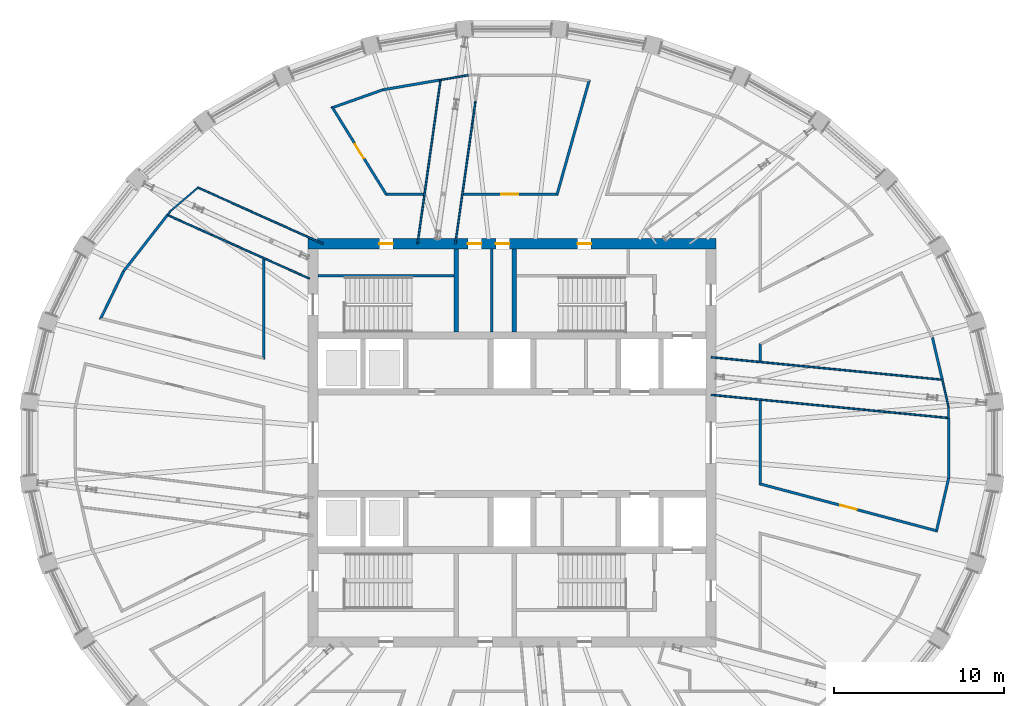
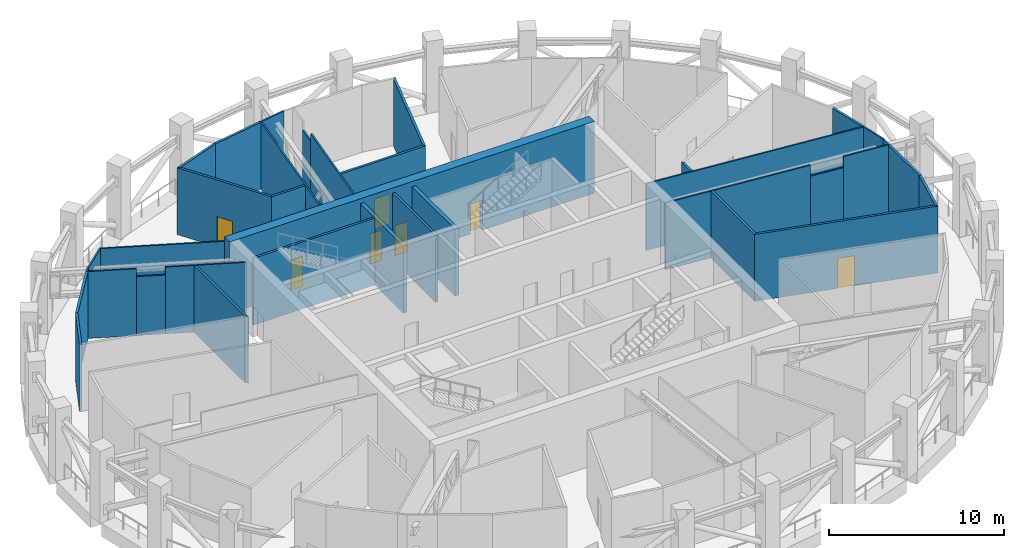
# One storey, part 10 of 20: 36 walls, 7 doors, 7 openings.
"""IFC4 building model written with IfcOpenShell, lengths in metres."""

from ifc_helpers import new_model, si_unit, direction, frame, frame_2d, origin, place, context, subcontext, project, spatial, polyline, rectangle, outline, extrude, material, layer, layer_set, type_object, element, fill, save


model = new_model("IFC4")

# Units and contexts
model_context = context("Model", 3, precision=1e-05, world=origin(), true_north=direction((0.0, 1.0)))
body_context = subcontext(model_context, "Body", "Model", "MODEL_VIEW")
ifc_project = project(units=[si_unit("LENGTHUNIT", "METRE"), si_unit("AREAUNIT", "SQUARE_METRE"), si_unit("VOLUMEUNIT", "CUBIC_METRE"), si_unit("PLANEANGLEUNIT", "RADIAN"), si_unit("MASSUNIT", "GRAM", prefix="KILO")], contexts=[model_context])

# Site, building, storey
site_placement = place(None, origin())
site = spatial("IfcSite", under=ifc_project, at=site_placement, CompositionType="ELEMENT")
building_placement = place(site_placement, origin())
building = spatial("IfcBuilding", under=site, at=building_placement, Name="Halqa Exchange Tower", CompositionType="ELEMENT")
storey_placement = place(building_placement, frame((0.0, 0.0, 328.300048828125)))
storey = spatial("IfcBuildingStorey", under=building, at=storey_placement, Name="L77", CompositionType="ELEMENT", Elevation=328.300048828125)

# Walls
ifc_material_1 = material(Name="Fire-rated gypsum board")
ifc_layer_1 = layer(ifc_material_1, 0.14990234375)
ifc_layer_set_1 = layer_set([ifc_layer_1], Name="Fire-rated gypsum board")
wall_type_1 = type_object("IfcWallType", Name="Fire partition EI 60 150", PredefinedType="PARTITIONING", material=ifc_layer_set_1)
wall_1_placement = place(storey_placement, frame((-22.826416015625, 10.087158203125, 0.0), z_axis=(0.0, 0.0, 1.0), x_axis=(-0.435498679968, -0.900189368825, 0.0)))
element("IfcWall", 1, at=wall_1_placement, inside=storey, type_object=wall_type_1, Name="L77-PWL-011", PredefinedType="PARTITIONING", context=body_context, shape_type="SweptSolid", body=[
    extrude(outline(polyline([(0.0, -0.074951171875), (1.5888671875, -0.074951171875), (3.177734375, -0.074951171875), (2.9921875, 0.074951171875), (1.504150390625, 0.074951171875), (0.015869140625, 0.074951171875), (0.0, -0.074951171875)])), origin(), (0.0, 0.0, 1.0), 4.64990234375),
])
wall_2_placement = place(storey_placement, frame((-20.25, 13.389892578125, 0.0), z_axis=(0.0, 0.0, 1.0), x_axis=(-0.614788449528, -0.788692057984, 0.0)))
element("IfcWall", 2, at=wall_2_placement, inside=storey, type_object=wall_type_1, Name="L77-PWL-013", PredefinedType="PARTITIONING", context=body_context, shape_type="SweptSolid", body=[
    extrude(outline(polyline([(4.20458984375, -0.074951171875), (4.20458984375, -0.07470703125), (4.188720703125, 0.074951171875), (2.79248046875, 0.074951171875), (1.396240234375, 0.074951171875), (0.0, 0.074951171875), (0.0, -0.074951171875), (1.401611328125, -0.074951171875), (2.802978515625, -0.074951171875), (4.20458984375, -0.074951171875)])), origin(), (0.0, 0.0, 1.0), 4.64990234375),
])
wall_3_placement = place(storey_placement, frame((-14.60009765625, 4.884521484375, 0.0), z_axis=(0.0, 0.0, 1.0), x_axis=(0.0, 1.0, 0.0)))
element("IfcWall", 3, at=wall_3_placement, inside=storey, type_object=wall_type_1, Name="L77-PWL-029", PredefinedType="PARTITIONING", context=body_context, shape_type="SweptSolid", body=[
    extrude(outline(polyline([(0.000244140625, -0.074951171875), (1.96240234375, -0.074951171875), (3.92431640625, -0.074951171875), (5.886474609375, -0.074951171875), (5.953369140625, 0.074462890625), (5.953369140625, 0.074951171875), (4.032470703125, 0.074951171875), (2.11181640625, 0.074951171875), (0.19091796875, 0.074951171875), (0.19091796875, 0.074951171875), (0.19091796875, 0.074951171875), (0.095458984375, 0.0), (0.000244140625, -0.074951171875)])), origin(), (0.0, 0.0, 1.0), 4.64990234375),
])

# Wall, opening, door
wall_4_placement = place(storey_placement, frame((-10.59912109375, 19.779052734375, 0.0), z_axis=(0.0, 0.0, 1.0), x_axis=(0.526721747685, -0.850037764171, 0.0)))
wall_4 = element("IfcWall", 4, at=wall_4_placement, inside=storey, type_object=wall_type_1, Name="L77-PWL-031", PredefinedType="PARTITIONING", context=body_context, shape_type="SweptSolid", body=[
    extrude(outline(polyline([(0.0, -0.074951171875), (1.53369140625, -0.074951171875), (3.067138671875, -0.074951171875), (4.600830078125, -0.074951171875), (6.134521484375, -0.074951171875), (6.051025390625, 0.074951171875), (4.095947265625, 0.074951171875), (2.140869140625, 0.074951171875), (0.185791015625, 0.074951171875), (0.0, -0.074951171875), (0.0, -0.074951171875)])), origin(), (0.0, 0.0, 1.0), 4.64990234375),
])
opening_1_placement = place(wall_4_placement, frame((2.593017578125, 0.0, 0.0)))
opening_1 = element("IfcOpeningElement", 5, at=opening_1_placement, cuts=wall_4, Name="Opening L77-13", PredefinedType="OPENING", context=body_context, shape_type="SweptSolid", body=[
    extrude(rectangle(XDim=1.0, YDim=2.10009765625, at=frame_2d((0.5, 1.050048828125))), frame((0.0, 0.0869140625, 0.0), z_axis=(0.0, -1.0, 0.0), x_axis=(1.0, 0.0, 0.0)), (0.0, 0.0, 1.0), 0.173828125),
])
ifc_material_2 = material(Name="Steel fire door leaf", Category="steel")
door_type_1 = type_object("IfcDoorType", Name="Fire door FD30S 1000 x 2100", OperationType="SINGLE_SWING_LEFT", PredefinedType="DOOR", material=ifc_material_2)
door_1_placement = place(opening_1_placement, origin())
door_1 = element("IfcDoor", 6, at=door_1_placement, inside=storey, type_object=door_type_1, Name="L77-IDR-013", OperationType="SINGLE_SWING_LEFT", OverallHeight=2.10009765625, OverallWidth=1.0, PredefinedType="DOOR", context=body_context, shape_type="SweptSolid", body=[
    extrude(rectangle(XDim=1.0, YDim=2.10009765625, at=frame_2d((0.5, 1.050048828125))), frame((0.0, 0.02490234375, 0.0), z_axis=(0.0, -1.0, 0.0), x_axis=(1.0, 0.0, 0.0)), (0.0, 0.0, 1.0), 0.050048828125),
])
fill(opening_1, door_1)

# Walls
wall_5_placement = place(storey_placement, frame((-7.583984375, 20.752197265625, 0.0), z_axis=(0.0, 0.0, 1.0), x_axis=(-0.942459148143, -0.334321333571, 0.0)))
element("IfcWall", 7, at=wall_5_placement, inside=storey, type_object=wall_type_1, Name="L77-PWL-034", PredefinedType="PARTITIONING", context=body_context, shape_type="SweptSolid", body=[
    extrude(outline(polyline([(0.0, -0.074951171875), (1.6201171875, -0.074951171875), (3.240234375, -0.074951171875), (3.05419921875, 0.074951171875), (1.533447265625, 0.074951171875), (0.012939453125, 0.074951171875), (0.0, -0.074462890625), (0.0, -0.074951171875)])), origin(), (0.0, 0.0, 1.0), 4.64990234375),
])
wall_6_placement = place(storey_placement, frame((-7.596435546875, 20.748779296875, 0.0), z_axis=(0.0, 0.0, 1.0), x_axis=(0.9856701175, 0.168684378254, 0.0)))
element("IfcWall", 8, at=wall_6_placement, inside=storey, type_object=wall_type_1, Name="L77-PWL-035", PredefinedType="PARTITIONING", context=body_context, shape_type="SweptSolid", body=[
    extrude(outline(polyline([(3.370849609375, 0.074951171875), (1.685546875, 0.074951171875), (0.000244140625, 0.074951171875), (0.012939453125, -0.074951171875), (1.69189453125, -0.074951171875), (3.370849609375, -0.074951171875), (3.370849609375, 0.074951171875)])), origin(), (0.0, 0.0, 1.0), 4.64990234375),
])
wall_7_placement = place(storey_placement, frame((-7.431884765625, 14.60009765625, 0.0), z_axis=(0.0, 0.0, 1.0), x_axis=(1.0, 0.0, 0.0)))
element("IfcWall", 9, at=wall_7_placement, inside=storey, type_object=wall_type_1, Name="L77-PWL-036", PredefinedType="PARTITIONING", context=body_context, shape_type="SweptSolid", body=[
    extrude(outline(polyline([(0.000244140625, -0.074951171875), (2.2275390625, -0.074951171875), (2.248291015625, 0.07373046875), (2.248291015625, 0.074951171875), (0.083740234375, 0.074951171875), (0.083740234375, 0.074951171875), (0.083740234375, 0.074951171875), (0.0419921875, 0.0), (0.000244140625, -0.074951171875)])), origin(), (0.0, 0.0, 1.0), 4.64990234375),
])

# Wall, opening, door
wall_8_placement = place(storey_placement, frame((-2.8798828125, 14.60009765625, 0.0), z_axis=(0.0, 0.0, 1.0), x_axis=(1.0, 0.0, 0.0)))
wall_8 = element("IfcWall", 10, at=wall_8_placement, inside=storey, type_object=wall_type_1, Name="L77-PWL-042", PredefinedType="PARTITIONING", context=body_context, shape_type="SweptSolid", body=[
    extrude(outline(polyline([(0.0, -0.074951171875), (1.8623046875, -0.074951171875), (3.724365234375, -0.074951171875), (5.586669921875, -0.074951171875), (5.52978515625, 0.0), (5.47314453125, 0.074951171875), (5.47314453125, 0.074951171875), (5.47314453125, 0.074951171875), (3.65576171875, 0.074951171875), (1.83837890625, 0.074951171875), (0.02099609375, 0.074951171875), (0.0, -0.073486328125), (0.0, -0.074951171875)])), origin(), (0.0, 0.0, 1.0), 4.64990234375),
])
opening_2_placement = place(wall_8_placement, frame((2.25, 0.0, 0.0)))
opening_2 = element("IfcOpeningElement", 11, at=opening_2_placement, cuts=wall_8, Name="Opening L77-12", PredefinedType="OPENING", context=body_context, shape_type="SweptSolid", body=[
    extrude(rectangle(XDim=1.0, YDim=2.10009765625, at=frame_2d((0.5, 1.050048828125))), frame((0.0, 0.0869140625, 0.0), z_axis=(0.0, -1.0, 0.0), x_axis=(1.0, 0.0, 0.0)), (0.0, 0.0, 1.0), 0.173828125),
])
door_2_placement = place(opening_2_placement, origin())
door_2 = element("IfcDoor", 12, at=door_2_placement, inside=storey, type_object=door_type_1, Name="L77-IDR-012", OperationType="SINGLE_SWING_LEFT", OverallHeight=2.10009765625, OverallWidth=1.0, PredefinedType="DOOR", context=body_context, shape_type="SweptSolid", body=[
    extrude(rectangle(XDim=1.0, YDim=2.10009765625, at=frame_2d((0.5, 1.050048828125))), frame((0.0, 0.02490234375, 0.0), z_axis=(0.0, -1.0, 0.0), x_axis=(1.0, 0.0, 0.0)), (0.0, 0.0, 1.0), 0.050048828125),
])
fill(opening_2, door_2)

# Wall
wall_9_placement = place(storey_placement, frame((2.634521484375, 14.54541015625, 0.0), z_axis=(0.0, 0.0, 1.0), x_axis=(0.271290420786, 0.962497536407, 0.0)))
element("IfcWall", 13, at=wall_9_placement, inside=storey, type_object=wall_type_1, Name="L77-PWL-052", PredefinedType="PARTITIONING", context=body_context, shape_type="SweptSolid", body=[
    extrude(outline(polyline([(0.0, -0.074951171875), (1.767822265625, -0.074951171875), (3.535888671875, -0.074951171875), (5.3037109375, -0.074951171875), (7.071533203125, -0.074951171875), (6.905029296875, 0.074951171875), (5.20703125, 0.074951171875), (3.50927734375, 0.074951171875), (1.8115234375, 0.074951171875), (0.113525390625, 0.074951171875), (0.0, -0.074951171875)])), origin(), (0.0, 0.0, 1.0), 4.64990234375),
])

# Wall, opening, door
wall_10_placement = place(storey_placement, frame((14.544189453125, -2.4052734375, 0.0), z_axis=(0.0, 0.0, 1.0), x_axis=(0.966468454351, -0.256785370969, 0.0)))
wall_10 = element("IfcWall", 14, at=wall_10_placement, inside=storey, type_object=wall_type_1, Name="L77-PWL-076", PredefinedType="PARTITIONING", context=body_context, shape_type="SweptSolid", body=[
    extrude(outline(polyline([(10.84423828125, -0.074951171875), (10.84423828125, -0.074951171875), (10.689453125, 0.074951171875), (8.927001953125, 0.074951171875), (7.164794921875, 0.074951171875), (5.40234375, 0.074951171875), (3.639892578125, 0.074951171875), (1.877685546875, 0.074951171875), (0.115234375, 0.074951171875), (0.0, -0.074951171875), (1.807373046875, -0.074951171875), (3.61474609375, -0.074951171875), (5.422119140625, -0.074951171875), (7.2294921875, -0.074951171875), (9.036865234375, -0.074951171875), (10.84423828125, -0.074951171875)])), origin(), (0.0, 0.0, 1.0), 4.64990234375),
])
opening_3_placement = place(wall_10_placement, frame((4.912109375, 0.0, 0.0)))
opening_3 = element("IfcOpeningElement", 15, at=opening_3_placement, cuts=wall_10, Name="Opening L77-08", PredefinedType="OPENING", context=body_context, shape_type="SweptSolid", body=[
    extrude(rectangle(XDim=1.0, YDim=2.10009765625, at=frame_2d((0.5, 1.050048828125))), frame((0.0, 0.0869140625, 0.0), z_axis=(0.0, -1.0, 0.0), x_axis=(1.0, 0.0, 0.0)), (0.0, 0.0, 1.0), 0.173828125),
])
door_3_placement = place(opening_3_placement, origin())
door_3 = element("IfcDoor", 16, at=door_3_placement, inside=storey, type_object=door_type_1, Name="L77-IDR-008", OperationType="SINGLE_SWING_RIGHT", OverallHeight=2.10009765625, OverallWidth=1.0, PredefinedType="DOOR", context=body_context, shape_type="SweptSolid", body=[
    extrude(rectangle(XDim=1.0, YDim=2.10009765625, at=frame_2d((0.5, 1.050048828125))), frame((0.0, 0.02490234375, 0.0), z_axis=(0.0, -1.0, 0.0), x_axis=(1.0, 0.0, 0.0)), (0.0, 0.0, 1.0), 0.050048828125),
])
fill(opening_3, door_3)

# Walls
wall_11_placement = place(storey_placement, frame((14.60009765625, 2.494384765625, 0.0), z_axis=(0.0, 0.0, 1.0), x_axis=(0.0, -1.0, 0.0)))
element("IfcWall", 17, at=wall_11_placement, inside=storey, type_object=wall_type_1, Name="L77-PWL-077", PredefinedType="PARTITIONING", context=body_context, shape_type="SweptSolid", body=[
    extrude(outline(polyline([(0.0, -0.074951171875), (1.6572265625, -0.074951171875), (3.314697265625, -0.074951171875), (4.971923828125, -0.074951171875), (4.914306640625, 0.0), (4.856689453125, 0.074951171875), (4.856689453125, 0.074951171875), (4.856689453125, 0.074951171875), (3.24267578125, 0.074951171875), (1.62841796875, 0.074951171875), (0.014404296875, 0.074951171875), (0.0, -0.0732421875), (0.0, -0.074951171875)])), origin(), (0.0, 0.0, 1.0), 4.64990234375),
])
wall_12_placement = place(storey_placement, frame((14.60009765625, 5.84619140625, 0.0), z_axis=(0.0, 0.0, 1.0), x_axis=(0.0, -1.0, 0.0)))
element("IfcWall", 18, at=wall_12_placement, inside=storey, type_object=wall_type_1, Name="L77-PWL-078", PredefinedType="PARTITIONING", context=body_context, shape_type="SweptSolid", body=[
    extrude(outline(polyline([(0.000244140625, -0.074951171875), (1.040283203125, -0.074951171875), (1.0546875, 0.072265625), (1.0546875, 0.074951171875), (0.09228515625, 0.074951171875), (0.09228515625, 0.074951171875), (0.09228515625, 0.074951171875), (0.046142578125, 0.0), (0.000244140625, -0.074951171875)])), origin(), (0.0, 0.0, 1.0), 4.64990234375),
])
wall_13_placement = place(storey_placement, frame((24.9326171875, -5.24560546875, 0.0), z_axis=(0.0, 0.0, 1.0), x_axis=(0.224606878397, 0.974449460042, 0.0)))
element("IfcWall", 19, at=wall_13_placement, inside=storey, type_object=wall_type_1, Name="L77-PWL-092", PredefinedType="PARTITIONING", context=body_context, shape_type="SweptSolid", body=[
    extrude(outline(polyline([(3.246826171875, -0.074951171875), (3.246826171875, -0.074462890625), (3.229736328125, 0.074951171875), (1.6923828125, 0.074951171875), (0.155029296875, 0.074951171875), (0.0, -0.074951171875), (1.62353515625, -0.074951171875), (3.246826171875, -0.074951171875)])), origin(), (0.0, 0.0, 1.0), 4.64990234375),
])
wall_14_placement = place(storey_placement, frame((25.2900390625, 3.7099609375, 0.0), z_axis=(0.0, 0.0, 1.0), x_axis=(-0.227782317725, 0.97371208051, 0.0)))
element("IfcWall", 20, at=wall_14_placement, inside=storey, type_object=wall_type_1, Name="L77-PWL-093", PredefinedType="PARTITIONING", context=body_context, shape_type="SweptSolid", body=[
    extrude(outline(polyline([(2.55517578125, -0.074951171875), (2.55517578125, -0.074462890625), (2.53857421875, 0.074951171875), (1.269287109375, 0.074951171875), (0.0, 0.074951171875), (0.0, -0.074951171875), (1.277587890625, -0.074951171875), (2.55517578125, -0.074951171875)])), origin(), (0.0, 0.0, 1.0), 4.64990234375),
])
wall_15_placement = place(storey_placement, frame((25.659912109375, -2.098388671875, 0.0), z_axis=(0.0, 0.0, 1.0), x_axis=(0.0, 1.0, 0.0)))
element("IfcWall", 21, at=wall_15_placement, inside=storey, type_object=wall_type_1, Name="L77-PWL-094", PredefinedType="PARTITIONING", context=body_context, shape_type="SweptSolid", body=[
    extrude(outline(polyline([(3.558349609375, 0.074951171875), (1.78759765625, 0.074951171875), (0.016845703125, 0.074951171875), (0.0, -0.07373046875), (0.0, -0.074951171875), (1.779296875, -0.074951171875), (3.558349609375, -0.074951171875), (3.558349609375, 0.074951171875)])), origin(), (0.0, 0.0, 1.0), 4.64990234375),
])
ifc_material_3 = material(Name="Gypsum board")
ifc_layer_2 = layer(ifc_material_3, 0.10009765625)
ifc_layer_set_2 = layer_set([ifc_layer_2], Name="Gypsum board")
wall_type_2 = type_object("IfcWallType", Name="Partition 100 gypsum", PredefinedType="PARTITIONING", material=ifc_layer_set_2)
wall_16_placement = place(storey_placement, frame((-20.191650390625, 13.36376953125, 0.0), z_axis=(0.0, 0.0, 1.0), x_axis=(0.912635066967, -0.408775286121, 0.0)))
element("IfcWall", 22, at=wall_16_placement, inside=storey, type_object=wall_type_2, Name="L77-PWL-014", PredefinedType="PARTITIONING", context=body_context, shape_type="SweptSolid", body=[
    extrude(outline(polyline([(0.0, 0.050048828125), (0.0, -0.015625), (0.0087890625, -0.017822265625), (0.0009765625, -0.050048828125), (1.386962890625, -0.050048828125), (2.77294921875, -0.050048828125), (2.77294921875, 0.050048828125), (1.386474609375, 0.050048828125), (0.0, 0.050048828125)])), origin(), (0.0, 0.0, 1.0), 4.64990234375),
])
wall_17_placement = place(storey_placement, frame((-20.039306640625, 13.659423828125, 0.0), z_axis=(0.0, 0.0, 1.0), x_axis=(-0.61586559452, -0.787851235632, 0.0)))
element("IfcWall", 23, at=wall_17_placement, inside=storey, type_object=wall_type_2, Name="L77-PWL-016", PredefinedType="PARTITIONING", context=body_context, shape_type="SweptSolid", body=[
    extrude(rectangle(XDim=0.342041015625, YDim=0.10009765625, at=frame_2d((0.1708984375, 0.0))), origin(), (0.0, 0.0, 1.0), 4.64990234375),
])
wall_18_placement = place(storey_placement, frame((-18.434814453125, 15.02001953125, 0.0), z_axis=(0.0, 0.0, 1.0), x_axis=(-0.759626055976, -0.650360096471, 0.0)))
element("IfcWall", 24, at=wall_18_placement, inside=storey, type_object=wall_type_2, Name="L77-PWL-017", PredefinedType="PARTITIONING", context=body_context, shape_type="SweptSolid", body=[
    extrude(outline(polyline([(0.0, -0.050048828125), (2.11181640625, -0.050048828125), (2.09375, 0.0390625), (2.14501953125, 0.049560546875), (2.14501953125, 0.050048828125), (0.0634765625, 0.050048828125), (0.03369140625, 0.0029296875), (0.0, -0.050048828125)])), origin(), (0.0, 0.0, 1.0), 4.64990234375),
])
wall_19_placement = place(storey_placement, frame((-18.48779296875, 15.012451171875, 0.0), z_axis=(0.0, 0.0, 1.0), x_axis=(0.912473613394, -0.409135558048, 0.0)))
element("IfcWall", 25, at=wall_19_placement, inside=storey, type_object=wall_type_2, Name="L77-PWL-018", PredefinedType="PARTITIONING", context=body_context, shape_type="SweptSolid", body=[
    extrude(outline(polyline([(0.0, 0.050048828125), (0.0, 0.050048828125), (0.0634765625, -0.050048828125), (1.669921875, -0.050048828125), (3.276611328125, -0.050048828125), (4.88330078125, -0.050048828125), (6.48974609375, -0.050048828125), (8.096435546875, -0.050048828125), (8.096435546875, 0.050048828125), (6.47705078125, 0.050048828125), (4.85791015625, 0.050048828125), (3.238525390625, 0.050048828125), (1.619384765625, 0.050048828125), (0.0, 0.050048828125)])), origin(), (0.0, 0.0, 1.0), 4.64990234375),
])
wall_20_placement = place(storey_placement, frame((-5.550048828125, 11.699951171875, 0.0), z_axis=(0.0, 0.0, 1.0), x_axis=(0.138844805467, 0.990314152173, 0.0)))
element("IfcWall", 26, at=wall_20_placement, inside=storey, type_object=wall_type_2, Name="L77-PWL-039", PredefinedType="PARTITIONING", context=body_context, shape_type="SweptSolid", body=[
    extrude(rectangle(XDim=9.7255859375, YDim=0.10009765625, at=frame_2d((4.86279296875, 0.0))), origin(), (0.0, 0.0, 1.0), 4.64990234375),
])
wall_21_placement = place(storey_placement, frame((-3.330078125, 11.699951171875, 0.0), z_axis=(0.0, 0.0, 1.0), x_axis=(0.140005886866, 0.990150671182, 0.0)))
element("IfcWall", 27, at=wall_21_placement, inside=storey, type_object=wall_type_2, Name="L77-PWL-041", PredefinedType="PARTITIONING", context=body_context, shape_type="SweptSolid", body=[
    extrude(rectangle(XDim=7.196533203125, YDim=0.10009765625, at=frame_2d((3.59814453125, 0.0))), origin(), (0.0, 0.0, 1.0), 4.64990234375),
])
wall_22_placement = place(storey_placement, frame((-2.555908203125, 21.610595703125, 0.0), z_axis=(0.0, 0.0, 1.0), x_axis=(-0.985746626095, -0.16823670569, 0.0)))
element("IfcWall", 28, at=wall_22_placement, inside=storey, type_object=wall_type_2, Name="L77-PWL-044", PredefinedType="PARTITIONING", context=body_context, shape_type="SweptSolid", body=[
    extrude(outline(polyline([(0.0, -0.050048828125), (1.742919921875, -0.050048828125), (1.742919921875, 0.050048828125), (1.736328125, 0.050048828125), (1.715087890625, -0.016357421875), (1.619873046875, 0.013916015625), (1.63134765625, 0.050048828125), (0.00830078125, 0.050048828125), (0.00830078125, 0.0498046875), (0.00830078125, 0.0498046875), (0.004150390625, 0.0), (0.0, -0.048828125), (0.0, -0.050048828125)])), origin(), (0.0, 0.0, 1.0), 4.64990234375),
])
wall_23_placement = place(storey_placement, frame((11.699951171875, 2.820068359375, 0.0), z_axis=(0.0, 0.0, 1.0), x_axis=(0.995286657009, -0.096976648632, 0.0)))
element("IfcWall", 29, at=wall_23_placement, inside=storey, type_object=wall_type_2, Name="L77-PWL-070", PredefinedType="PARTITIONING", context=body_context, shape_type="SweptSolid", body=[
    extrude(outline(polyline([(0.0, -0.050048828125), (1.49658203125, -0.050048828125), (2.9931640625, -0.050048828125), (2.993896484375, -0.050048828125), (2.993896484375, -0.050048828125), (4.517578125, -0.050048828125), (6.041015625, -0.050048828125), (7.564697265625, -0.050048828125), (9.088134765625, -0.050048828125), (9.088134765625, 0.050048828125), (7.2705078125, 0.050048828125), (5.452880859375, 0.050048828125), (3.63525390625, 0.050048828125), (1.817626953125, 0.050048828125), (0.0, 0.050048828125), (0.0, -0.050048828125)])), origin(), (0.0, 0.0, 1.0), 4.64990234375),
])
wall_24_placement = place(storey_placement, frame((11.699951171875, 5.030029296875, 0.0), z_axis=(0.0, 0.0, 1.0), x_axis=(0.995314737099, -0.096688024663, 0.0)))
element("IfcWall", 30, at=wall_24_placement, inside=storey, type_object=wall_type_2, Name="L77-PWL-071", PredefinedType="PARTITIONING", context=body_context, shape_type="SweptSolid", body=[
    extrude(outline(polyline([(13.617431640625, -0.050048828125), (13.617431640625, -0.04833984375), (13.606689453125, -0.015869140625), (13.5830078125, -0.02392578125), (13.557861328125, 0.050048828125), (11.77197265625, 0.050048828125), (9.986083984375, 0.050048828125), (8.2001953125, 0.050048828125), (6.414306640625, 0.050048828125), (4.62841796875, 0.050048828125), (2.842529296875, 0.050048828125), (2.83349609375, 0.049072265625), (2.83349609375, 0.050048828125), (1.416748046875, 0.050048828125), (0.0, 0.050048828125), (0.0, -0.050048828125), (1.9453125, -0.050048828125), (3.890625, -0.050048828125), (5.8359375, -0.050048828125), (7.781494140625, -0.050048828125), (9.726806640625, -0.050048828125), (11.672119140625, -0.050048828125), (13.617431640625, -0.050048828125)])), origin(), (0.0, 0.0, 1.0), 4.64990234375),
])
wall_25_placement = place(storey_placement, frame((25.659912109375, 1.4599609375, 0.0), z_axis=(0.0, 0.0, 1.0), x_axis=(0.0, 1.0, 0.0)))
element("IfcWall", 31, at=wall_25_placement, inside=storey, type_object=wall_type_2, Name="L77-PWL-095", PredefinedType="PARTITIONING", context=body_context, shape_type="SweptSolid", body=[
    extrude(outline(polyline([(0.0, -0.050048828125), (0.6357421875, -0.050048828125), (0.624267578125, 0.050048828125), (0.0, 0.050048828125), (0.0, -0.050048828125)])), origin(), (0.0, 0.0, 1.0), 4.64990234375),
])
wall_26_placement = place(storey_placement, frame((25.661376953125, 2.08447265625, 0.0), z_axis=(0.0, 0.0, 1.0), x_axis=(-0.222709501709, 0.974884853636, 0.0)))
element("IfcWall", 32, at=wall_26_placement, inside=storey, type_object=wall_type_2, Name="L77-PWL-096", PredefinedType="PARTITIONING", context=body_context, shape_type="SweptSolid", body=[
    extrude(outline(polyline([(1.66748046875, 0.050048828125), (0.01123046875, 0.050048828125), (0.0, -0.050048828125), (1.66748046875, -0.050048828125), (1.66748046875, 0.050048828125)])), origin(), (0.0, 0.0, 1.0), 4.64990234375),
])
wall_27_placement = place(storey_placement, frame((-17.660888671875, 12.230224609375, 0.0), z_axis=(0.0, 0.0, 1.0), x_axis=(0.912640241226, -0.408763733831, 0.0)))
element("IfcWall", 33, at=wall_27_placement, inside=storey, type_object=wall_type_2, Name="L77-PWL-099", PredefinedType="PARTITIONING", context=body_context, shape_type="SweptSolid", body=[
    extrude(outline(polyline([(0.0, 0.050048828125), (0.0, -0.050048828125), (1.655517578125, -0.050048828125), (1.655517578125, 0.050048828125), (0.0, 0.050048828125)])), origin(), (0.0, 0.0, 1.0), 4.099853515625),
])
wall_28_placement = place(storey_placement, frame((-16.14990234375, 11.553466796875, 0.0), z_axis=(0.0, 0.0, 1.0), x_axis=(0.912638165026, -0.408768369296, 0.0)))
element("IfcWall", 34, at=wall_28_placement, inside=storey, type_object=wall_type_2, Name="L77-PWL-100", PredefinedType="PARTITIONING", context=body_context, shape_type="SweptSolid", body=[
    extrude(outline(polyline([(0.0, -0.050048828125), (1.798828125, -0.050048828125), (1.80224609375, -0.048583984375), (1.802978515625, -0.050048828125), (3.229736328125, -0.050048828125), (4.65673828125, -0.050048828125), (4.65673828125, 0.050048828125), (3.1044921875, 0.050048828125), (1.55224609375, 0.050048828125), (0.0, 0.050048828125), (0.0, -0.050048828125)])), origin(), (0.0, 0.0, 1.0), 4.64990234375),
])
wall_29_placement = place(storey_placement, frame((-2.322509765625, 18.82568359375, 0.0), z_axis=(0.0, 0.0, 1.0), x_axis=(0.139870946511, 0.990169742177, 0.0)))
element("IfcWall", 35, at=wall_29_placement, inside=storey, type_object=wall_type_2, Name="L77-PWL-101", PredefinedType="PARTITIONING", context=body_context, shape_type="SweptSolid", body=[
    extrude(rectangle(XDim=1.2568359375, YDim=0.10009765625, at=frame_2d((0.62841796875, 0.0))), origin(), (0.0, 0.0, 1.0), 4.099853515625),
])
wall_30_placement = place(storey_placement, frame((20.745361328125, 1.938720703125, 0.0), z_axis=(0.0, 0.0, 1.0), x_axis=(0.9952849068, -0.096994609627, 0.0)))
element("IfcWall", 36, at=wall_30_placement, inside=storey, type_object=wall_type_2, Name="L77-PWL-106", PredefinedType="PARTITIONING", context=body_context, shape_type="SweptSolid", body=[
    extrude(outline(polyline([(0.0, 0.050048828125), (0.0, -0.050048828125), (2.071533203125, -0.050048828125), (2.071533203125, 0.050048828125), (0.0, 0.050048828125)])), origin(), (0.0, 0.0, 1.0), 3.8798828125),
])
wall_31_placement = place(storey_placement, frame((22.80712890625, 1.73779296875, 0.0), z_axis=(0.0, 0.0, 1.0), x_axis=(0.995290998168, -0.096932084297, 0.0)))
element("IfcWall", 37, at=wall_31_placement, inside=storey, type_object=wall_type_2, Name="L77-PWL-107", PredefinedType="PARTITIONING", context=body_context, shape_type="SweptSolid", body=[
    extrude(outline(polyline([(0.0, -0.050048828125), (1.39794921875, -0.050048828125), (2.7958984375, -0.050048828125), (2.791748046875, -0.00732421875), (2.810791015625, -0.00537109375), (2.810791015625, 0.050048828125), (1.4052734375, 0.050048828125), (0.0, 0.050048828125), (0.0, -0.050048828125)])), origin(), (0.0, 0.0, 1.0), 4.64990234375),
])
ifc_layer_3 = layer(ifc_material_3, 0.14990234375)
ifc_layer_set_3 = layer_set([ifc_layer_3], Name="Gypsum board")
wall_type_3 = type_object("IfcWallType", Name="Penthouse riser wall 150 gypsum", PredefinedType="PARTITIONING", material=ifc_layer_set_3)
wall_32_placement = place(storey_placement, frame((-1.199951171875, 6.5, 0.0), z_axis=(0.0, 0.0, 1.0), x_axis=(0.0, 1.0, 0.0)))
element("IfcWall", 38, at=wall_32_placement, inside=storey, type_object=wall_type_3, Name="Partition W1.200 N", PredefinedType="PARTITIONING", context=body_context, shape_type="SweptSolid", body=[
    extrude(rectangle(XDim=4.89990234375, YDim=0.14990234375, at=frame_2d((2.449951171875, 0.0))), origin(), (0.0, 0.0, 1.0), 4.64990234375),
])

# Wall, openings, doors
ifc_material_4 = material(Name="Concrete C60/75", Category="concrete")
ifc_layer_4 = layer(ifc_material_4, 0.60009765625)
ifc_layer_set_4 = layer_set([ifc_layer_4], Name="Concrete C60/75")
wall_type_4 = type_object("IfcWallType", Name="RC core wall 600 C60/75", PredefinedType="SHEAR", material=ifc_layer_set_4)
wall_33_placement = place(storey_placement, frame((-12.0, 11.699951171875, 0.0), z_axis=(0.0, 0.0, 1.0), x_axis=(1.0, 0.0, 0.0)))
wall_33 = element("IfcWall", 39, at=wall_33_placement, inside=storey, type_object=wall_type_4, Name="Core wall north", PredefinedType="SHEAR", context=body_context, shape_type="SweptSolid", body=[
    extrude(rectangle(XDim=24.0, YDim=0.60009765625, at=frame_2d((12.0, 0.0))), origin(), (0.0, 0.0, 1.0), 5.0),
])
opening_4_placement = place(wall_33_placement, frame((9.39990234375, 0.0, 0.0)))
opening_4 = element("IfcOpeningElement", 40, at=opening_4_placement, cuts=wall_33, Name="Opening L77-C13", PredefinedType="OPENING", context=body_context, shape_type="SweptSolid", body=[
    extrude(rectangle(XDim=0.800048828125, YDim=2.10009765625, at=frame_2d((0.39990234375, 1.050048828125))), frame((0.0, 0.31201171875, 0.0), z_axis=(0.0, -1.0, 0.0), x_axis=(1.0, 0.0, 0.0)), (0.0, 0.0, 1.0), 0.6240234375),
])
opening_5_placement = place(wall_33_placement, frame((11.050048828125, 0.0, 0.0)))
opening_5 = element("IfcOpeningElement", 41, at=opening_5_placement, cuts=wall_33, Name="Opening L77-C14", PredefinedType="OPENING", context=body_context, shape_type="SweptSolid", body=[
    extrude(rectangle(XDim=0.800048828125, YDim=2.10009765625, at=frame_2d((0.39990234375, 1.050048828125))), frame((0.0, 0.31201171875, 0.0), z_axis=(0.0, -1.0, 0.0), x_axis=(1.0, 0.0, 0.0)), (0.0, 0.0, 1.0), 0.6240234375),
])
opening_6_placement = place(wall_33_placement, frame((4.199951171875, 0.0, 0.0)))
opening_6 = element("IfcOpeningElement", 42, at=opening_6_placement, cuts=wall_33, Name="Opening L77-C15", PredefinedType="OPENING", context=body_context, shape_type="SweptSolid", body=[
    extrude(rectangle(XDim=0.800048828125, YDim=2.10009765625, at=frame_2d((0.39990234375, 1.050048828125))), frame((0.0, 0.31201171875, 0.0), z_axis=(0.0, -1.0, 0.0), x_axis=(1.0, 0.0, 0.0)), (0.0, 0.0, 1.0), 0.6240234375),
])
opening_7_placement = place(wall_33_placement, frame((15.85009765625, 0.0, 0.0)))
opening_7 = element("IfcOpeningElement", 43, at=opening_7_placement, cuts=wall_33, Name="Opening L77-C16", PredefinedType="OPENING", context=body_context, shape_type="SweptSolid", body=[
    extrude(rectangle(XDim=0.800048828125, YDim=2.10009765625, at=frame_2d((0.39990234375, 1.050048828125))), frame((0.0, 0.31201171875, 0.0), z_axis=(0.0, -1.0, 0.0), x_axis=(1.0, 0.0, 0.0)), (0.0, 0.0, 1.0), 0.6240234375),
])
door_type_2 = type_object("IfcDoorType", Name="Riser door FD60 800 x 2100", OperationType="SINGLE_SWING_LEFT", PredefinedType="DOOR", material=ifc_material_2)
door_4_placement = place(opening_4_placement, frame((0.800048828125, 0.0, 0.0), z_axis=(0.0, 0.0, 1.0), x_axis=(-1.0, 0.0, 0.0)))
door_4 = element("IfcDoor", 44, at=door_4_placement, inside=storey, type_object=door_type_2, Name="Core room door", OperationType="SINGLE_SWING_LEFT", OverallHeight=2.10009765625, OverallWidth=0.800048828125, PredefinedType="DOOR", context=body_context, shape_type="SweptSolid", body=[
    extrude(rectangle(XDim=0.800048828125, YDim=2.10009765625, at=frame_2d((0.39990234375, 1.050048828125))), frame((0.0, 0.02490234375, 0.0), z_axis=(0.0, -1.0, 0.0), x_axis=(1.0, 0.0, 0.0)), (0.0, 0.0, 1.0), 0.050048828125),
])
fill(opening_4, door_4)
door_5_placement = place(opening_5_placement, frame((0.800048828125, 0.0, 0.0), z_axis=(0.0, 0.0, 1.0), x_axis=(-1.0, 0.0, 0.0)))
door_5 = element("IfcDoor", 45, at=door_5_placement, inside=storey, type_object=door_type_2, Name="Core room door", OperationType="SINGLE_SWING_RIGHT", OverallHeight=2.10009765625, OverallWidth=0.800048828125, PredefinedType="DOOR", context=body_context, shape_type="SweptSolid", body=[
    extrude(rectangle(XDim=0.800048828125, YDim=2.10009765625, at=frame_2d((0.39990234375, 1.050048828125))), frame((0.0, 0.02490234375, 0.0), z_axis=(0.0, -1.0, 0.0), x_axis=(1.0, 0.0, 0.0)), (0.0, 0.0, 1.0), 0.050048828125),
])
fill(opening_5, door_5)
door_6_placement = place(opening_6_placement, frame((0.800048828125, 0.0, 0.0), z_axis=(0.0, 0.0, 1.0), x_axis=(-1.0, 0.0, 0.0)))
door_6 = element("IfcDoor", 46, at=door_6_placement, inside=storey, type_object=door_type_2, Name="Core room door", OperationType="SINGLE_SWING_RIGHT", OverallHeight=2.10009765625, OverallWidth=0.800048828125, PredefinedType="DOOR", context=body_context, shape_type="SweptSolid", body=[
    extrude(rectangle(XDim=0.800048828125, YDim=2.10009765625, at=frame_2d((0.39990234375, 1.050048828125))), frame((0.0, 0.02490234375, 0.0), z_axis=(0.0, -1.0, 0.0), x_axis=(1.0, 0.0, 0.0)), (0.0, 0.0, 1.0), 0.050048828125),
])
fill(opening_6, door_6)
door_7_placement = place(opening_7_placement, frame((0.800048828125, 0.0, 0.0), z_axis=(0.0, 0.0, 1.0), x_axis=(-1.0, 0.0, 0.0)))
door_7 = element("IfcDoor", 47, at=door_7_placement, inside=storey, type_object=door_type_2, Name="Core room door", OperationType="SINGLE_SWING_RIGHT", OverallHeight=2.10009765625, OverallWidth=0.800048828125, PredefinedType="DOOR", context=body_context, shape_type="SweptSolid", body=[
    extrude(rectangle(XDim=0.800048828125, YDim=2.10009765625, at=frame_2d((0.39990234375, 1.050048828125))), frame((0.0, 0.02490234375, 0.0), z_axis=(0.0, -1.0, 0.0), x_axis=(1.0, 0.0, 0.0)), (0.0, 0.0, 1.0), 0.050048828125),
])
fill(opening_7, door_7)

# Walls
ifc_material_5 = material(Name="Concrete C30/37", Category="concrete")
ifc_layer_5 = layer(ifc_material_5, 0.14990234375)
ifc_layer_set_5 = layer_set([ifc_layer_5], Name="Concrete C30/37")
wall_type_5 = type_object("IfcWallType", Name="RC stair wall 150 C30/37", PredefinedType="SHEAR", material=ifc_layer_set_5)
wall_34_placement = place(storey_placement, frame((-11.39990234375, 9.824951171875, 0.0), z_axis=(0.0, 0.0, 1.0), x_axis=(1.0, 0.0, 0.0)))
element("IfcWall", 48, at=wall_34_placement, inside=storey, type_object=wall_type_5, Name="Stair ST1 north wall N", PredefinedType="SHEAR", context=body_context, shape_type="SweptSolid", body=[
    extrude(rectangle(XDim=8.0, YDim=0.14990234375, at=frame_2d((4.0, 0.0))), origin(), (0.0, 0.0, 1.0), 4.64990234375),
])
ifc_layer_6 = layer(ifc_material_5, 0.25)
ifc_layer_set_6 = layer_set([ifc_layer_6], Name="Concrete C30/37")
wall_type_6 = type_object("IfcWallType", Name="RC stair wall 250 C30/37", PredefinedType="SHEAR", material=ifc_layer_set_6)
for number, where, z_axis, x_axis, name in (
    (49, (-3.27490234375, 6.5, 0.0), (0.0, 0.0, 1.0), (0.0, 1.0, 0.0), "Stair ST1 east wall N"),
    (50, (0.125, 6.5, 0.0), (0.0, 0.0, 1.0), (0.0, 1.0, 0.0), "Stair ST2 west wall N"),
):
    element("IfcWall", number, at=place(storey_placement, frame(where, z_axis=z_axis, x_axis=x_axis)), inside=storey, type_object=wall_type_6, Name=name, PredefinedType="SHEAR", context=body_context, shape_type="SweptSolid", body=[
        extrude(rectangle(XDim=4.89990234375, YDim=0.25, at=frame_2d((2.449951171875, 0.0))), origin(), (0.0, 0.0, 1.0), 4.64990234375),
    ])

save(model, "model.ifc")
